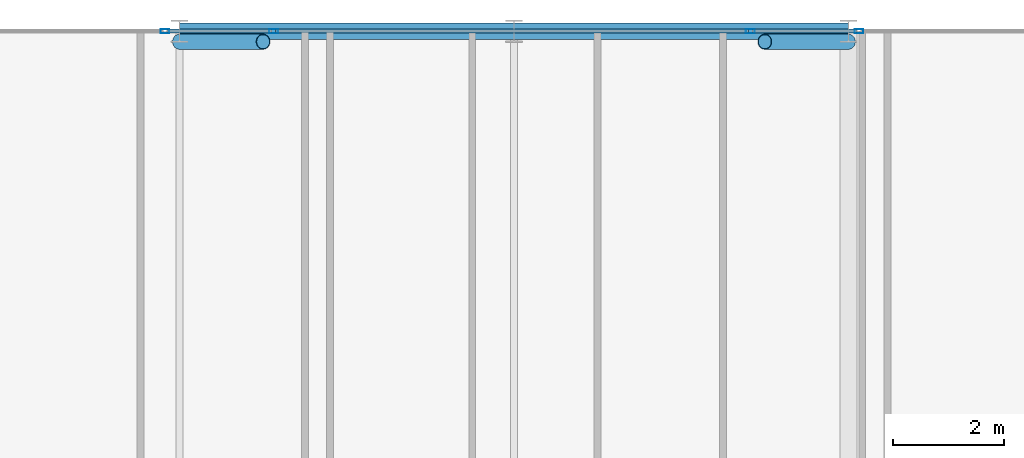
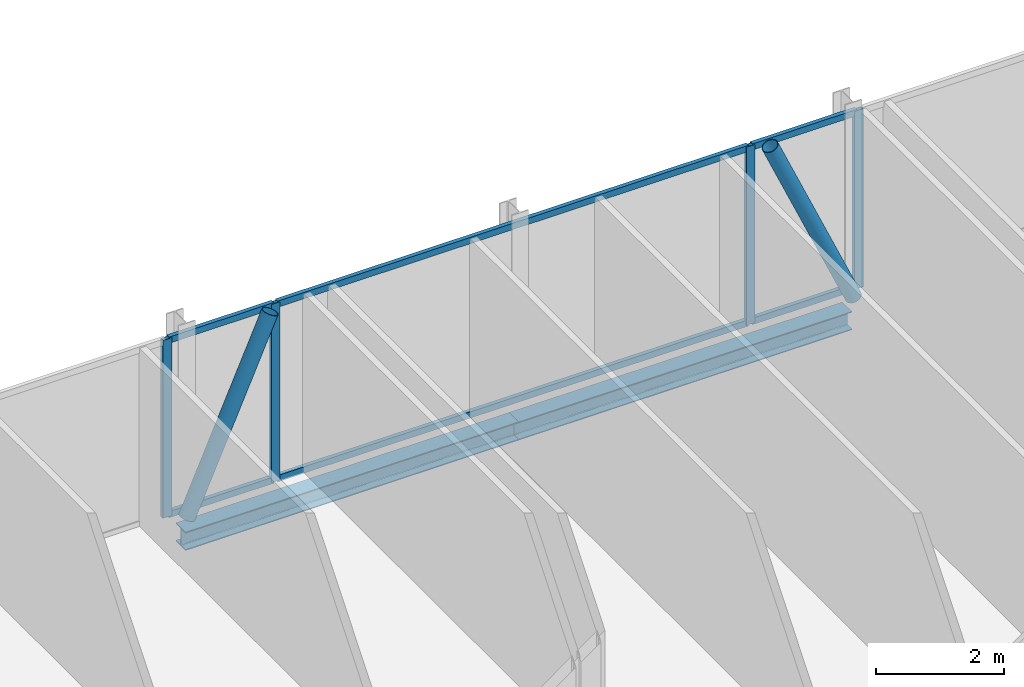
# One storey, part 17 of 27: 12 members, 2 beams, 4 elements without a shape of their own.
"""IFC4 building model written with IfcOpenShell, lengths in metres."""

import ifcopenshell
import ifcopenshell.guid

model = None  # the IFC model being written
_history = None  # IfcOwnerHistory: only IFC2X3 demands one
_inside = {}  # id of a spatial element -> (the spatial element, [elements in it])
_under = {}  # id of a project, library or spatial element -> (it, [spatial elements below it])
_declared = {}  # id of a project -> (the project, [libraries it declares])
_typed = {}  # id of a type object -> (the type object, [elements of that type])
_made_of = {}  # id of a material, layer set ... -> (it, [elements and type objects made of it])


def new_model(schema):
    """Start an empty IFC model of exactly this schema.

    Asked for "IFC4X3", IfcOpenShell would pick the latest addendum, in which some entities
    have other attributes; the version numbers below select the first issue.
    IFC2X3 requires an IfcOwnerHistory on every rooted entity: one is made here for all.
    """
    global model, _history
    if schema == "IFC4X3":
        model = ifcopenshell.file(schema_version=(4, 3, 0, 0))
    else:
        model = ifcopenshell.file(schema=schema)
    _inside.clear()
    _under.clear()
    _declared.clear()
    _typed.clear()
    _made_of.clear()
    _history = None
    if model.schema == "IFC2X3":
        org = make("IfcOrganization", Name="unknown")
        user = make(
            "IfcPersonAndOrganization",
            ThePerson=make("IfcPerson", FamilyName="unknown"),
            TheOrganization=org,
        )
        app = make(
            "IfcApplication",
            ApplicationDeveloper=org,
            Version="unknown",
            ApplicationFullName="unknown",
            ApplicationIdentifier="unknown",
        )
        _history = make(
            "IfcOwnerHistory",
            OwningUser=user,
            OwningApplication=app,
            ChangeAction="ADDED",
            CreationDate=0,
        )
    return model


def make(cls, **values):
    """One entity of the class cls with the attributes given. An attribute that is None is left unset."""
    return model.create_entity(
        cls, **{name: value for name, value in values.items() if value is not None}
    )


def rooted(cls, **values):
    """An entity with a GlobalId (a new one), such as an element, a storey or a relation."""
    return make(cls, GlobalId=ifcopenshell.guid.new(), OwnerHistory=_history, **values)


def si_unit(unit_type, name, prefix=None):
    """IfcSIUnit, for example si_unit("LENGTHUNIT", "METRE", prefix="MILLI")."""
    return make("IfcSIUnit", UnitType=unit_type, Prefix=prefix, Name=name)


def assignment(units):
    """IfcUnitAssignment: the units of a project."""
    return None if units is None else make("IfcUnitAssignment", Units=units)


def point(xyz):
    """IfcCartesianPoint."""
    return None if xyz is None else make("IfcCartesianPoint", Coordinates=xyz)


def direction(xyz):
    """IfcDirection."""
    return None if xyz is None else make("IfcDirection", DirectionRatios=xyz)


def frame(location, z_axis=None, x_axis=None):
    """IfcAxis2Placement3D, a coordinate frame: its origin and axes. An axis left out is left unset."""
    return make(
        "IfcAxis2Placement3D",
        Location=point(location),
        Axis=direction(z_axis),
        RefDirection=direction(x_axis),
    )


def frame_2d(location, x_axis=None):
    """IfcAxis2Placement2D, a coordinate frame in the plane: its origin and x axis."""
    return make(
        "IfcAxis2Placement2D", Location=point(location), RefDirection=direction(x_axis)
    )


def origin():
    """The frame at (0, 0, 0) with its axes left unset."""
    return frame((0.0, 0.0, 0.0))


def origin_2d():
    """The frame at (0, 0) in the plane with its x axis left unset."""
    return frame_2d((0.0, 0.0))


def place(relative_to, where):
    """IfcLocalPlacement: puts the frame where relative to a parent placement (None: the world)."""
    return make(
        "IfcLocalPlacement", PlacementRelTo=relative_to, RelativePlacement=where
    )


def context(
    kind, dimensions, precision=None, world=None, true_north=None, identifier=None
):
    """IfcGeometricRepresentationContext, for example the 3D "Model" context."""
    return make(
        "IfcGeometricRepresentationContext",
        ContextIdentifier=identifier,
        ContextType=kind,
        CoordinateSpaceDimension=dimensions,
        Precision=precision,
        WorldCoordinateSystem=world,
        TrueNorth=true_north,
    )


def subcontext(parent, identifier, kind, view, scale=None):
    """IfcGeometricRepresentationSubContext, for example "Body" below "Model"."""
    return make(
        "IfcGeometricRepresentationSubContext",
        ContextIdentifier=identifier,
        ContextType=kind,
        ParentContext=parent,
        TargetScale=scale,
        TargetView=view,
    )


def project(units=None, contexts=None):
    """IfcProject with its units and contexts."""
    return rooted(
        "IfcProject",
        Name="project",
        RepresentationContexts=contexts,
        UnitsInContext=assignment(units),
    )


def spatial(cls, under=None, at=None, **own):
    """A site, building, storey or space (cls), placed at a placement, below another one or the project."""
    s = rooted(cls, ObjectPlacement=at, **own)
    if under is not None:
        _under.setdefault(under.id(), (under, []))[1].append(s)
    return s


def profile(cls, at=None, kind="AREA", **sizes):
    """A parametric profile (cls). Its sizes go by their IFC names, for example OverallWidth=200.0."""
    return make(cls, ProfileType=kind, Position=at, **sizes)


def hollow_rectangle(**sizes):
    """IfcRectangleHollowProfileDef."""
    return profile("IfcRectangleHollowProfileDef", **sizes)


def hollow_circle(**sizes):
    """IfcCircleHollowProfileDef."""
    return profile("IfcCircleHollowProfileDef", **sizes)


def i_section(**sizes):
    """IfcIShapeProfileDef."""
    return profile("IfcIShapeProfileDef", **sizes)


def extrude(swept, where, along, depth):
    """IfcExtrudedAreaSolid: the profile swept, set in the frame where, extruded along a direction by depth."""
    return make(
        "IfcExtrudedAreaSolid",
        SweptArea=swept,
        Position=where,
        ExtrudedDirection=direction(along),
        Depth=depth,
    )


def shape(context_of_items, identifier, shape_type, items):
    """IfcShapeRepresentation: the items that make up one representation, for example the "Body"."""
    return make(
        "IfcShapeRepresentation",
        ContextOfItems=context_of_items,
        RepresentationIdentifier=identifier,
        RepresentationType=shape_type,
        Items=items,
    )


def material(Name=None, Category=None):
    """IfcMaterial."""
    return make("IfcMaterial", Name=Name, Category=Category)


def layer(
    of_material, thickness, ventilated=None, Name=None, Category=None, Priority=None
):
    """IfcMaterialLayer: one layer of a wall or slab, of a material (None: an air gap)."""
    return make(
        "IfcMaterialLayer",
        Material=of_material,
        LayerThickness=thickness,
        IsVentilated=ventilated,
        Name=Name,
        Category=Category,
        Priority=Priority,
    )


def layer_set(layers, Name=None):
    """IfcMaterialLayerSet."""
    return make("IfcMaterialLayerSet", MaterialLayers=layers, LayerSetName=Name)


def material_profile(
    of_material, cross_section, Name=None, Category=None, Priority=None
):
    """IfcMaterialProfile: a cross section and its material."""
    return make(
        "IfcMaterialProfile",
        Name=Name,
        Material=of_material,
        Profile=cross_section,
        Priority=Priority,
        Category=Category,
    )


def profile_set(profiles, Name=None, composite=None):
    """IfcMaterialProfileSet."""
    return make(
        "IfcMaterialProfileSet",
        Name=Name,
        MaterialProfiles=profiles,
        CompositeProfile=composite,
    )


def made_of(thing, what):
    """Note that an element or type object is made of a material, layer set ...; save() writes the relation."""
    if what is not None:
        _made_of.setdefault(what.id(), (what, []))[1].append(thing)
    return thing


def type_object(cls, material=None, **own):
    """A type object (cls), such as IfcWallType, which elements share."""
    return made_of(rooted(cls, **own), material)


def element(
    cls,
    number,
    at=None,
    inside=None,
    cuts=None,
    type_object=None,
    material=None,
    context=None,
    identifier="Body",
    shape_type=None,
    held_by="IfcProductDefinitionShape",
    body=None,
    shapes=None,
    **own,
):
    """One element of the class cls, such as IfcWall. Its Tag is "e" and its number.

    at: its placement. inside: the storey or other place that contains it. cuts: it is an
    opening in that element (IfcRelVoidsElement). A single representation is given by context,
    identifier, shape_type and body (its items); several are given by shapes. held_by: the class
    of the entity that holds the representations. save() writes the other relations.
    """
    e = rooted(cls, Tag="e%d" % number, ObjectPlacement=at, **own)
    if body is not None:
        shapes = [shape(context, identifier, shape_type, body)]
    if shapes is not None:
        e.Representation = make(held_by, Representations=shapes)
    if inside is not None:
        _inside.setdefault(inside.id(), (inside, []))[1].append(e)
    if cuts is not None:
        rooted(
            "IfcRelVoidsElement", RelatingBuildingElement=cuts, RelatedOpeningElement=e
        )
    if type_object is not None:
        _typed.setdefault(type_object.id(), (type_object, []))[1].append(e)
    return made_of(e, material)


def aggregate(whole, parts):
    """IfcRelAggregates: a whole, such as a stair, and the parts it consists of."""
    return rooted("IfcRelAggregates", RelatingObject=whole, RelatedObjects=parts)


def save(model, path):
    """Write the relations noted so far, then the file.

    IfcRelAggregates (storeys below a building ...), IfcRelContainedInSpatialStructure (elements
    in a storey), IfcRelDefinesByType, IfcRelAssociatesMaterial and IfcRelDeclares: one each for
    every whole, place, type object, material and project.
    """
    for whole, parts in _under.values():
        aggregate(whole, parts)
    for where, things in _inside.values():
        rooted(
            "IfcRelContainedInSpatialStructure",
            RelatedElements=things,
            RelatingStructure=where,
        )
    for kind, things in _typed.values():
        rooted("IfcRelDefinesByType", RelatedObjects=things, RelatingType=kind)
    for what, things in _made_of.values():
        rooted("IfcRelAssociatesMaterial", RelatedObjects=things, RelatingMaterial=what)
    for by, libraries in _declared.values():
        rooted("IfcRelDeclares", RelatingContext=by, RelatedDefinitions=libraries)
    model.write(path)


model = new_model("IFC4")

# Units and contexts
model_context = context("Model", 3, precision=1e-05, world=origin(), true_north=direction((0.0, 1.0)))
body_context = subcontext(model_context, "Body", "Model", "MODEL_VIEW")
ifc_project = project(units=[si_unit("LENGTHUNIT", "METRE"), si_unit("AREAUNIT", "SQUARE_METRE"), si_unit("VOLUMEUNIT", "CUBIC_METRE"), si_unit("PLANEANGLEUNIT", "RADIAN"), si_unit("MASSUNIT", "GRAM", prefix="KILO")], contexts=[model_context])

# Site, building, storey
site_placement = place(None, origin())
site = spatial("IfcSite", under=ifc_project, at=site_placement, CompositionType="ELEMENT")
building_placement = place(site_placement, origin())
building = spatial("IfcBuilding", under=site, at=building_placement, Name="Keshet Zoharim Tower", CompositionType="ELEMENT")
storey_placement = place(building_placement, frame((0.0, 0.0, 269.5)))
storey = spatial("IfcBuildingStorey", under=building, at=storey_placement, Name="L67", CompositionType="ELEMENT", Elevation=269.5)

# Beams
ifc_material_1 = material(Name="Steel S355", Category="steel")
ifc_material_profile_1 = material_profile(ifc_material_1, i_section(OverallWidth=0.300048828125, OverallDepth=0.35009765625, WebThickness=0.010009765625, FlangeThickness=0.017578125, FilletRadius=0.027099609375, at=origin_2d()), Name="HEA360")
ifc_profile_set_1 = profile_set([ifc_material_profile_1], Name="Steel S355")
beam_type = type_object("IfcBeamType", Name="BM-PRI-HA360", PredefinedType="BEAM", material=ifc_profile_set_1)
for number, where, z_axis, x_axis, name in (
    (1, (21.0, 53.89990234375, -0.485107421875), (1.0, 0.0, 0.0), (0.0, 1.0, 0.0), "L67 Primary Girder X-010"),
    (2, (27.0, 53.89990234375, -0.485107421875), (1.0, 0.0, 0.0), (0.0, 1.0, 0.0), "L67 Primary Girder X-011"),
):
    element("IfcBeam", number, at=place(storey_placement, frame(where, z_axis=z_axis, x_axis=x_axis)), inside=storey, type_object=beam_type, Name=name, PredefinedType="BEAM", context=body_context, shape_type="SweptSolid", body=[
        extrude(i_section(OverallWidth=0.300048828125, OverallDepth=0.35009765625, WebThickness=0.010009765625, FlangeThickness=0.017578125, FilletRadius=0.027099609375, at=origin_2d()), origin(), (0.0, 0.0, 1.0), 6.0),
    ])

# Curtain wall, member
ifc_material_2 = material(Name="Aluminium 6063-T6", Category="aluminium")
ifc_layer = layer(ifc_material_2, 0.260009765625)
ifc_layer_set = layer_set([ifc_layer], Name="Aluminium 6063-T6")
curtain_wall_type = type_object("IfcCurtainWallType", Name="CW-SYS-06", PredefinedType="NOTDEFINED", material=ifc_layer_set)
curtain_wall_1_placement = place(storey_placement, origin())
curtain_wall_1 = element("IfcCurtainWall", 3, at=curtain_wall_1_placement, inside=storey, type_object=curtain_wall_type, Name="L67 Unitised Curtain Wall 06", PredefinedType="NOTDEFINED")
ifc_material_profile_2 = material_profile(ifc_material_2, hollow_rectangle(XDim=0.074951171875, YDim=0.159912109375, WallThickness=0.00390625, at=origin_2d()), Name="MUL-75x160")
ifc_profile_set_2 = profile_set([ifc_material_profile_2], Name="Aluminium 6063-T6")
member_type_1 = type_object("IfcMemberType", Name="CWM-M15", PredefinedType="MULLION", material=ifc_profile_set_2)
member_1_placement = place(storey_placement, frame((20.740234375, 53.89990234375, 0.0), z_axis=(0.0, 0.0, 1.0), x_axis=(0.0, 1.0, 0.0)))
member_1 = element("IfcMember", 4, at=member_1_placement, type_object=member_type_1, Name="CW-06 mullion 2", PredefinedType="MULLION", context=body_context, shape_type="SweptSolid", body=[
    extrude(hollow_rectangle(XDim=0.074951171875, YDim=0.159912109375, WallThickness=0.00390625, at=origin_2d()), origin(), (0.0, 0.0, 1.0), 3.389892578125),
])
aggregate(curtain_wall_1, [member_1])

curtain_wall_2_placement = place(storey_placement, origin())
curtain_wall_2 = element("IfcCurtainWall", 5, at=curtain_wall_2_placement, inside=storey, type_object=curtain_wall_type, Name="L67 Unitised Curtain Wall 06 Part 2", PredefinedType="NOTDEFINED")
member_2_placement = place(storey_placement, frame((22.689697265625, 53.89990234375, 0.0), z_axis=(0.0, 0.0, 1.0), x_axis=(0.0, 1.0, 0.0)))
member_2 = element("IfcMember", 6, at=member_2_placement, type_object=member_type_1, Name="CW-06 mullion 2", PredefinedType="MULLION", context=body_context, shape_type="SweptSolid", body=[
    extrude(hollow_rectangle(XDim=0.074951171875, YDim=0.159912109375, WallThickness=0.00390625, at=origin_2d()), origin(), (0.0, 0.0, 1.0), 3.389892578125),
])

curtain_wall_3_placement = place(storey_placement, origin())
curtain_wall_3 = element("IfcCurtainWall", 7, at=curtain_wall_3_placement, inside=storey, type_object=curtain_wall_type, Name="L67 Unitised Curtain Wall 06 Part 3", PredefinedType="NOTDEFINED")
member_3_placement = place(storey_placement, frame((31.240234375, 53.89990234375, 0.0), z_axis=(0.0, 0.0, 1.0), x_axis=(0.0, 1.0, 0.0)))
member_3 = element("IfcMember", 8, at=member_3_placement, type_object=member_type_1, Name="CW-06 mullion 2", PredefinedType="MULLION", context=body_context, shape_type="SweptSolid", body=[
    extrude(hollow_rectangle(XDim=0.074951171875, YDim=0.159912109375, WallThickness=0.00390625, at=origin_2d()), origin(), (0.0, 0.0, 1.0), 3.389892578125),
])

curtain_wall_4_placement = place(storey_placement, origin())
curtain_wall_4 = element("IfcCurtainWall", 9, at=curtain_wall_4_placement, inside=storey, type_object=curtain_wall_type, Name="L67 Unitised Curtain Wall 06 Part 4", PredefinedType="NOTDEFINED")
member_4_placement = place(storey_placement, frame((33.189697265625, 53.89990234375, 0.0), z_axis=(0.0, 0.0, 1.0), x_axis=(0.0, 1.0, 0.0)))
member_4 = element("IfcMember", 10, at=member_4_placement, type_object=member_type_1, Name="CW-06 mullion 2", PredefinedType="MULLION", context=body_context, shape_type="SweptSolid", body=[
    extrude(hollow_rectangle(XDim=0.074951171875, YDim=0.159912109375, WallThickness=0.00390625, at=origin_2d()), origin(), (0.0, 0.0, 1.0), 3.389892578125),
])

# Member
ifc_material_profile_3 = material_profile(ifc_material_2, hollow_rectangle(XDim=0.074951171875, YDim=0.1201171875, WallThickness=0.00390625, at=origin_2d()), Name="TRN-75x120")
ifc_profile_set_3 = profile_set([ifc_material_profile_3], Name="Aluminium 6063-T6")
member_type_2 = type_object("IfcMemberType", Name="CWT-T12", PredefinedType="USERDEFINED", material=ifc_profile_set_3)
member_5_placement = place(storey_placement, frame((20.775146484375, 53.89990234375, 0.034912109375), z_axis=(1.0, 0.0, 0.0), x_axis=(0.0, 1.0, 0.0)))
member_5 = element("IfcMember", 11, at=member_5_placement, type_object=member_type_2, Name="CW-06 transom 1.1", ObjectType="TRANSOM", PredefinedType="USERDEFINED", context=body_context, shape_type="SweptSolid", body=[
    extrude(hollow_rectangle(XDim=0.074951171875, YDim=0.1201171875, WallThickness=0.00390625, at=origin_2d()), origin(), (0.0, 0.0, 1.0), 1.879638671875),
])

member_6_placement = place(storey_placement, frame((20.775146484375, 53.89990234375, 3.35498046875), z_axis=(1.0, 0.0, 0.0), x_axis=(0.0, 1.0, 0.0)))
member_6 = element("IfcMember", 12, at=member_6_placement, type_object=member_type_2, Name="CW-06 transom 1.2", ObjectType="TRANSOM", PredefinedType="USERDEFINED", context=body_context, shape_type="SweptSolid", body=[
    extrude(hollow_rectangle(XDim=0.074951171875, YDim=0.1201171875, WallThickness=0.00390625, at=origin_2d()), origin(), (0.0, 0.0, 1.0), 1.879638671875),
])

aggregate(curtain_wall_2, [member_2, member_5, member_6])

member_7_placement = place(storey_placement, frame((22.724853515625, 53.89990234375, 0.034912109375), z_axis=(1.0, 0.0, 0.0), x_axis=(0.0, 1.0, 0.0)))
member_7 = element("IfcMember", 13, at=member_7_placement, type_object=member_type_2, Name="CW-06 transom 1.1", ObjectType="TRANSOM", PredefinedType="USERDEFINED", context=body_context, shape_type="SweptSolid", body=[
    extrude(hollow_rectangle(XDim=0.074951171875, YDim=0.1201171875, WallThickness=0.00390625, at=origin_2d()), origin(), (0.0, 0.0, 1.0), 8.480224609375),
])

member_8_placement = place(storey_placement, frame((22.724853515625, 53.89990234375, 3.35498046875), z_axis=(1.0, 0.0, 0.0), x_axis=(0.0, 1.0, 0.0)))
member_8 = element("IfcMember", 14, at=member_8_placement, type_object=member_type_2, Name="CW-06 transom 1.2", ObjectType="TRANSOM", PredefinedType="USERDEFINED", context=body_context, shape_type="SweptSolid", body=[
    extrude(hollow_rectangle(XDim=0.074951171875, YDim=0.1201171875, WallThickness=0.00390625, at=origin_2d()), origin(), (0.0, 0.0, 1.0), 8.480224609375),
])

aggregate(curtain_wall_3, [member_3, member_7, member_8])

member_9_placement = place(storey_placement, frame((31.275146484375, 53.89990234375, 0.034912109375), z_axis=(1.0, 0.0, 0.0), x_axis=(0.0, 1.0, 0.0)))
member_9 = element("IfcMember", 15, at=member_9_placement, type_object=member_type_2, Name="CW-06 transom 1.1", ObjectType="TRANSOM", PredefinedType="USERDEFINED", context=body_context, shape_type="SweptSolid", body=[
    extrude(hollow_rectangle(XDim=0.074951171875, YDim=0.1201171875, WallThickness=0.00390625, at=origin_2d()), origin(), (0.0, 0.0, 1.0), 1.879638671875),
])

member_10_placement = place(storey_placement, frame((31.275146484375, 53.89990234375, 3.35498046875), z_axis=(1.0, 0.0, 0.0), x_axis=(0.0, 1.0, 0.0)))
member_10 = element("IfcMember", 16, at=member_10_placement, type_object=member_type_2, Name="CW-06 transom 1.2", ObjectType="TRANSOM", PredefinedType="USERDEFINED", context=body_context, shape_type="SweptSolid", body=[
    extrude(hollow_rectangle(XDim=0.074951171875, YDim=0.1201171875, WallThickness=0.00390625, at=origin_2d()), origin(), (0.0, 0.0, 1.0), 1.879638671875),
])

aggregate(curtain_wall_4, [member_4, member_9, member_10])

# Members
ifc_material_profile_4 = material_profile(ifc_material_1, hollow_circle(Radius=0.136474609375, WallThickness=0.010009765625, at=origin_2d()), Name="CHS273x10")
ifc_profile_set_4 = profile_set([ifc_material_profile_4], Name="Steel S355")
member_type_3 = type_object("IfcMemberType", Name="MB-BR-C273", PredefinedType="BRACE", material=ifc_profile_set_4)
for number, where, z_axis, x_axis, name in (
    (17, (21.0, 53.7099609375, 0.0), (0.40464689807, 0.0, 0.914473011019), (0.0, 1.0, 0.0), "L67 Perimeter Tube Brace 03"),
    (18, (33.0, 53.7099609375, 0.0), (-0.40464689807, 0.0, 0.914473011019), (0.0, -1.0, 0.0), "L67 Perimeter Tube Brace 04"),
):
    element("IfcMember", number, at=place(storey_placement, frame(where, z_axis=z_axis, x_axis=x_axis)), inside=storey, type_object=member_type_3, Name=name, PredefinedType="BRACE", context=body_context, shape_type="SweptSolid", body=[
        extrude(hollow_circle(Radius=0.136474609375, WallThickness=0.010009765625, at=origin_2d()), origin(), (0.0, 0.0, 1.0), 3.70703125),
    ])

save(model, "model.ifc")
